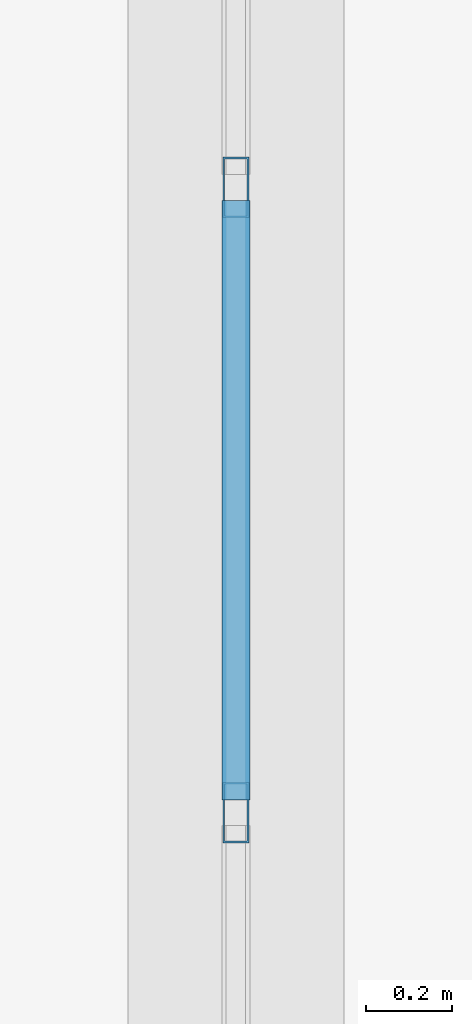
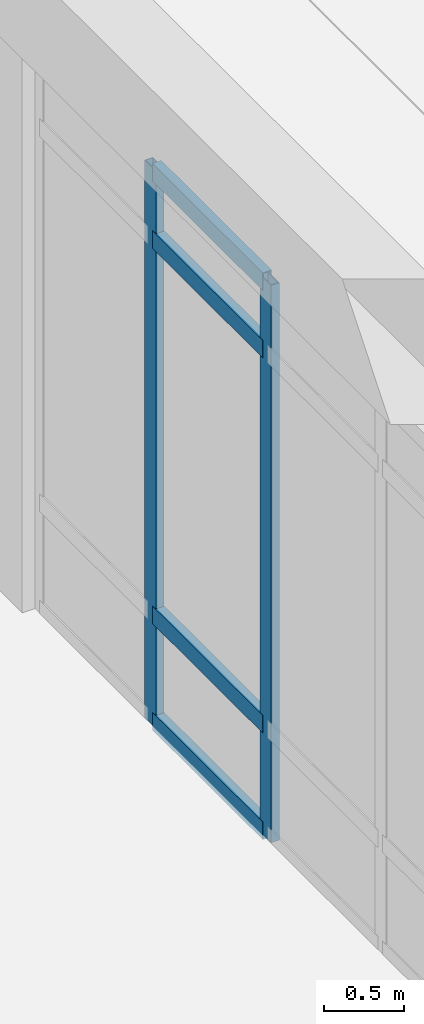
# One storey, part 43 of 138: 6 members, 1 element without a shape of its own.
"""IFC4 building model written with IfcOpenShell, lengths in metres."""

import ifcopenshell
import ifcopenshell.guid

model = None  # the IFC model being written
_history = None  # IfcOwnerHistory: only IFC2X3 demands one
_inside = {}  # id of a spatial element -> (the spatial element, [elements in it])
_under = {}  # id of a project, library or spatial element -> (it, [spatial elements below it])
_declared = {}  # id of a project -> (the project, [libraries it declares])
_typed = {}  # id of a type object -> (the type object, [elements of that type])
_made_of = {}  # id of a material, layer set ... -> (it, [elements and type objects made of it])


def new_model(schema):
    """Start an empty IFC model of exactly this schema.

    Asked for "IFC4X3", IfcOpenShell would pick the latest addendum, in which some entities
    have other attributes; the version numbers below select the first issue.
    IFC2X3 requires an IfcOwnerHistory on every rooted entity: one is made here for all.
    """
    global model, _history
    if schema == "IFC4X3":
        model = ifcopenshell.file(schema_version=(4, 3, 0, 0))
    else:
        model = ifcopenshell.file(schema=schema)
    _inside.clear()
    _under.clear()
    _declared.clear()
    _typed.clear()
    _made_of.clear()
    _history = None
    if model.schema == "IFC2X3":
        org = make("IfcOrganization", Name="unknown")
        user = make(
            "IfcPersonAndOrganization",
            ThePerson=make("IfcPerson", FamilyName="unknown"),
            TheOrganization=org,
        )
        app = make(
            "IfcApplication",
            ApplicationDeveloper=org,
            Version="unknown",
            ApplicationFullName="unknown",
            ApplicationIdentifier="unknown",
        )
        _history = make(
            "IfcOwnerHistory",
            OwningUser=user,
            OwningApplication=app,
            ChangeAction="ADDED",
            CreationDate=0,
        )
    return model


def make(cls, **values):
    """One entity of the class cls with the attributes given. An attribute that is None is left unset."""
    return model.create_entity(
        cls, **{name: value for name, value in values.items() if value is not None}
    )


def rooted(cls, **values):
    """An entity with a GlobalId (a new one), such as an element, a storey or a relation."""
    return make(cls, GlobalId=ifcopenshell.guid.new(), OwnerHistory=_history, **values)


def si_unit(unit_type, name, prefix=None):
    """IfcSIUnit, for example si_unit("LENGTHUNIT", "METRE", prefix="MILLI")."""
    return make("IfcSIUnit", UnitType=unit_type, Prefix=prefix, Name=name)


def assignment(units):
    """IfcUnitAssignment: the units of a project."""
    return None if units is None else make("IfcUnitAssignment", Units=units)


def point(xyz):
    """IfcCartesianPoint."""
    return None if xyz is None else make("IfcCartesianPoint", Coordinates=xyz)


def direction(xyz):
    """IfcDirection."""
    return None if xyz is None else make("IfcDirection", DirectionRatios=xyz)


def frame(location, z_axis=None, x_axis=None):
    """IfcAxis2Placement3D, a coordinate frame: its origin and axes. An axis left out is left unset."""
    return make(
        "IfcAxis2Placement3D",
        Location=point(location),
        Axis=direction(z_axis),
        RefDirection=direction(x_axis),
    )


def frame_2d(location, x_axis=None):
    """IfcAxis2Placement2D, a coordinate frame in the plane: its origin and x axis."""
    return make(
        "IfcAxis2Placement2D", Location=point(location), RefDirection=direction(x_axis)
    )


def origin():
    """The frame at (0, 0, 0) with its axes left unset."""
    return frame((0.0, 0.0, 0.0))


def origin_2d():
    """The frame at (0, 0) in the plane with its x axis left unset."""
    return frame_2d((0.0, 0.0))


def place(relative_to, where):
    """IfcLocalPlacement: puts the frame where relative to a parent placement (None: the world)."""
    return make(
        "IfcLocalPlacement", PlacementRelTo=relative_to, RelativePlacement=where
    )


def context(
    kind, dimensions, precision=None, world=None, true_north=None, identifier=None
):
    """IfcGeometricRepresentationContext, for example the 3D "Model" context."""
    return make(
        "IfcGeometricRepresentationContext",
        ContextIdentifier=identifier,
        ContextType=kind,
        CoordinateSpaceDimension=dimensions,
        Precision=precision,
        WorldCoordinateSystem=world,
        TrueNorth=true_north,
    )


def subcontext(parent, identifier, kind, view, scale=None):
    """IfcGeometricRepresentationSubContext, for example "Body" below "Model"."""
    return make(
        "IfcGeometricRepresentationSubContext",
        ContextIdentifier=identifier,
        ContextType=kind,
        ParentContext=parent,
        TargetScale=scale,
        TargetView=view,
    )


def project(units=None, contexts=None):
    """IfcProject with its units and contexts."""
    return rooted(
        "IfcProject",
        Name="project",
        RepresentationContexts=contexts,
        UnitsInContext=assignment(units),
    )


def spatial(cls, under=None, at=None, **own):
    """A site, building, storey or space (cls), placed at a placement, below another one or the project."""
    s = rooted(cls, ObjectPlacement=at, **own)
    if under is not None:
        _under.setdefault(under.id(), (under, []))[1].append(s)
    return s


def profile(cls, at=None, kind="AREA", **sizes):
    """A parametric profile (cls). Its sizes go by their IFC names, for example OverallWidth=200.0."""
    return make(cls, ProfileType=kind, Position=at, **sizes)


def hollow_rectangle(**sizes):
    """IfcRectangleHollowProfileDef."""
    return profile("IfcRectangleHollowProfileDef", **sizes)


def extrude(swept, where, along, depth):
    """IfcExtrudedAreaSolid: the profile swept, set in the frame where, extruded along a direction by depth."""
    return make(
        "IfcExtrudedAreaSolid",
        SweptArea=swept,
        Position=where,
        ExtrudedDirection=direction(along),
        Depth=depth,
    )


def shape(context_of_items, identifier, shape_type, items):
    """IfcShapeRepresentation: the items that make up one representation, for example the "Body"."""
    return make(
        "IfcShapeRepresentation",
        ContextOfItems=context_of_items,
        RepresentationIdentifier=identifier,
        RepresentationType=shape_type,
        Items=items,
    )


def material(Name=None, Category=None):
    """IfcMaterial."""
    return make("IfcMaterial", Name=Name, Category=Category)


def layer(
    of_material, thickness, ventilated=None, Name=None, Category=None, Priority=None
):
    """IfcMaterialLayer: one layer of a wall or slab, of a material (None: an air gap)."""
    return make(
        "IfcMaterialLayer",
        Material=of_material,
        LayerThickness=thickness,
        IsVentilated=ventilated,
        Name=Name,
        Category=Category,
        Priority=Priority,
    )


def layer_set(layers, Name=None):
    """IfcMaterialLayerSet."""
    return make("IfcMaterialLayerSet", MaterialLayers=layers, LayerSetName=Name)


def material_profile(
    of_material, cross_section, Name=None, Category=None, Priority=None
):
    """IfcMaterialProfile: a cross section and its material."""
    return make(
        "IfcMaterialProfile",
        Name=Name,
        Material=of_material,
        Profile=cross_section,
        Priority=Priority,
        Category=Category,
    )


def profile_set(profiles, Name=None, composite=None):
    """IfcMaterialProfileSet."""
    return make(
        "IfcMaterialProfileSet",
        Name=Name,
        MaterialProfiles=profiles,
        CompositeProfile=composite,
    )


def made_of(thing, what):
    """Note that an element or type object is made of a material, layer set ...; save() writes the relation."""
    if what is not None:
        _made_of.setdefault(what.id(), (what, []))[1].append(thing)
    return thing


def type_object(cls, material=None, **own):
    """A type object (cls), such as IfcWallType, which elements share."""
    return made_of(rooted(cls, **own), material)


def element(
    cls,
    number,
    at=None,
    inside=None,
    cuts=None,
    type_object=None,
    material=None,
    context=None,
    identifier="Body",
    shape_type=None,
    held_by="IfcProductDefinitionShape",
    body=None,
    shapes=None,
    **own,
):
    """One element of the class cls, such as IfcWall. Its Tag is "e" and its number.

    at: its placement. inside: the storey or other place that contains it. cuts: it is an
    opening in that element (IfcRelVoidsElement). A single representation is given by context,
    identifier, shape_type and body (its items); several are given by shapes. held_by: the class
    of the entity that holds the representations. save() writes the other relations.
    """
    e = rooted(cls, Tag="e%d" % number, ObjectPlacement=at, **own)
    if body is not None:
        shapes = [shape(context, identifier, shape_type, body)]
    if shapes is not None:
        e.Representation = make(held_by, Representations=shapes)
    if inside is not None:
        _inside.setdefault(inside.id(), (inside, []))[1].append(e)
    if cuts is not None:
        rooted(
            "IfcRelVoidsElement", RelatingBuildingElement=cuts, RelatedOpeningElement=e
        )
    if type_object is not None:
        _typed.setdefault(type_object.id(), (type_object, []))[1].append(e)
    return made_of(e, material)


def aggregate(whole, parts):
    """IfcRelAggregates: a whole, such as a stair, and the parts it consists of."""
    return rooted("IfcRelAggregates", RelatingObject=whole, RelatedObjects=parts)


def save(model, path):
    """Write the relations noted so far, then the file.

    IfcRelAggregates (storeys below a building ...), IfcRelContainedInSpatialStructure (elements
    in a storey), IfcRelDefinesByType, IfcRelAssociatesMaterial and IfcRelDeclares: one each for
    every whole, place, type object, material and project.
    """
    for whole, parts in _under.values():
        aggregate(whole, parts)
    for where, things in _inside.values():
        rooted(
            "IfcRelContainedInSpatialStructure",
            RelatedElements=things,
            RelatingStructure=where,
        )
    for kind, things in _typed.values():
        rooted("IfcRelDefinesByType", RelatedObjects=things, RelatingType=kind)
    for what, things in _made_of.values():
        rooted("IfcRelAssociatesMaterial", RelatedObjects=things, RelatingMaterial=what)
    for by, libraries in _declared.values():
        rooted("IfcRelDeclares", RelatingContext=by, RelatedDefinitions=libraries)
    model.write(path)


model = new_model("IFC4")

# Units and contexts
model_context = context("Model", 3, precision=1e-05, world=origin(), true_north=direction((0.0, 1.0)))
body_context = subcontext(model_context, "Body", "Model", "MODEL_VIEW")
ifc_project = project(units=[si_unit("LENGTHUNIT", "METRE"), si_unit("AREAUNIT", "SQUARE_METRE"), si_unit("VOLUMEUNIT", "CUBIC_METRE"), si_unit("PLANEANGLEUNIT", "RADIAN"), si_unit("MASSUNIT", "GRAM", prefix="KILO")], contexts=[model_context])

# Site, building, storey
site_placement = place(None, origin())
site = spatial("IfcSite", under=ifc_project, at=site_placement, CompositionType="ELEMENT")
building_placement = place(site_placement, origin())
building = spatial("IfcBuilding", under=site, at=building_placement, Name="Fikremerkos Civic Library", CompositionType="ELEMENT")
storey_placement = place(building_placement, origin())
storey = spatial("IfcBuildingStorey", under=building, at=storey_placement, Name="L00", CompositionType="ELEMENT", Elevation=0.0)

# Curtain wall, members
ifc_material = material(Name="Anodized aluminium Frame", Category="aluminium")
ifc_layer = layer(ifc_material, 0.159912109375, Name="Anodized aluminium Frame")
ifc_layer_set = layer_set([ifc_layer], Name="Anodized aluminium Frame")
curtain_wall_type = type_object("IfcCurtainWallType", Name="Unitised curtain wall CW-11 3200x3400", PredefinedType="USERDEFINED", material=ifc_layer_set)
curtain_wall_placement = place(storey_placement, origin())
curtain_wall = element("IfcCurtainWall", 1, at=curtain_wall_placement, inside=storey, type_object=curtain_wall_type, Name="Unitised curtain wall CW-11 L00 #29", ObjectType="UNITISED CURTAIN WALL", PredefinedType="USERDEFINED")
ifc_material_profile_1 = material_profile(ifc_material, hollow_rectangle(XDim=0.06005859375, YDim=0.139892578125, WallThickness=0.00390625, at=origin_2d()), Name="ALU 140x60x4")
ifc_profile_set_1 = profile_set([ifc_material_profile_1], Name="Anodized aluminium Frame")
member_type_1 = type_object("IfcMemberType", Name="Curtain mullion CWM-03 ALU 140x60x4", PredefinedType="MULLION", material=ifc_profile_set_1)
member_1_placement = place(storey_placement, frame((124.800048828125, 86.41259765625, 0.0), z_axis=(0.0, 0.0, 1.0), x_axis=(-1.0, 0.0, 0.0)))
member_1 = element("IfcMember", 2, at=member_1_placement, type_object=member_type_1, Name="CW-11 mullion 3", PredefinedType="MULLION", context=body_context, shape_type="SweptSolid", body=[
    extrude(hollow_rectangle(XDim=0.06005859375, YDim=0.139892578125, WallThickness=0.00390625, at=origin_2d()), origin(), (0.0, 0.0, 1.0), 4.280029296875),
])
member_2_placement = place(storey_placement, frame((124.800048828125, 87.86083984375, 0.0), z_axis=(0.0, 0.0, 1.0), x_axis=(-1.0, 0.0, 0.0)))
member_2 = element("IfcMember", 3, at=member_2_placement, type_object=member_type_1, Name="CW-11 mullion 4", PredefinedType="MULLION", context=body_context, shape_type="SweptSolid", body=[
    extrude(hollow_rectangle(XDim=0.06005859375, YDim=0.139892578125, WallThickness=0.00390625, at=origin_2d()), origin(), (0.0, 0.0, 1.0), 4.280029296875),
])
ifc_material_profile_2 = material_profile(ifc_material, hollow_rectangle(XDim=0.06494140625, YDim=0.135009765625, WallThickness=0.00439453125, at=origin_2d()), Name="ALU 135x65x4.5")
ifc_profile_set_2 = profile_set([ifc_material_profile_2], Name="Anodized aluminium Frame")
member_type_2 = type_object("IfcMemberType", Name="Curtain transom CWT-02 ALU 135x65x4.5", PredefinedType="USERDEFINED", material=ifc_profile_set_2)
member_3_placement = place(storey_placement, frame((124.800048828125, 86.4423828125, 0.032470703125), z_axis=(0.0, 1.0, 0.0), x_axis=(-1.0, 0.0, 0.0)))
member_3 = element("IfcMember", 4, at=member_3_placement, type_object=member_type_2, Name="CW-11 transom 3.1", ObjectType="TRANSOM", PredefinedType="USERDEFINED", context=body_context, shape_type="SweptSolid", body=[
    extrude(hollow_rectangle(XDim=0.06494140625, YDim=0.135009765625, WallThickness=0.00439453125, at=origin_2d()), origin(), (0.0, 0.0, 1.0), 1.388427734375),
])
member_4_placement = place(storey_placement, frame((124.800048828125, 86.4423828125, 0.85009765625), z_axis=(0.0, 1.0, 0.0), x_axis=(-1.0, 0.0, 0.0)))
member_4 = element("IfcMember", 5, at=member_4_placement, type_object=member_type_2, Name="CW-11 transom 3.2", ObjectType="TRANSOM", PredefinedType="USERDEFINED", context=body_context, shape_type="SweptSolid", body=[
    extrude(hollow_rectangle(XDim=0.06494140625, YDim=0.135009765625, WallThickness=0.00439453125, at=origin_2d()), origin(), (0.0, 0.0, 1.0), 1.388427734375),
])
member_5_placement = place(storey_placement, frame((124.800048828125, 86.4423828125, 3.72998046875), z_axis=(0.0, 1.0, 0.0), x_axis=(-1.0, 0.0, 0.0)))
member_5 = element("IfcMember", 6, at=member_5_placement, type_object=member_type_2, Name="CW-11 transom 3.3", ObjectType="TRANSOM", PredefinedType="USERDEFINED", context=body_context, shape_type="SweptSolid", body=[
    extrude(hollow_rectangle(XDim=0.06494140625, YDim=0.135009765625, WallThickness=0.00439453125, at=origin_2d()), origin(), (0.0, 0.0, 1.0), 1.388427734375),
])
member_6_placement = place(storey_placement, frame((124.800048828125, 86.4423828125, 4.24755859375), z_axis=(0.0, 1.0, 0.0), x_axis=(-1.0, 0.0, 0.0)))
member_6 = element("IfcMember", 7, at=member_6_placement, type_object=member_type_2, Name="CW-11 transom 3.4", ObjectType="TRANSOM", PredefinedType="USERDEFINED", context=body_context, shape_type="SweptSolid", body=[
    extrude(hollow_rectangle(XDim=0.06494140625, YDim=0.135009765625, WallThickness=0.00439453125, at=origin_2d()), origin(), (0.0, 0.0, 1.0), 1.388427734375),
])
aggregate(curtain_wall, [member_1, member_2, member_3, member_4, member_5, member_6])

save(model, "model.ifc")
